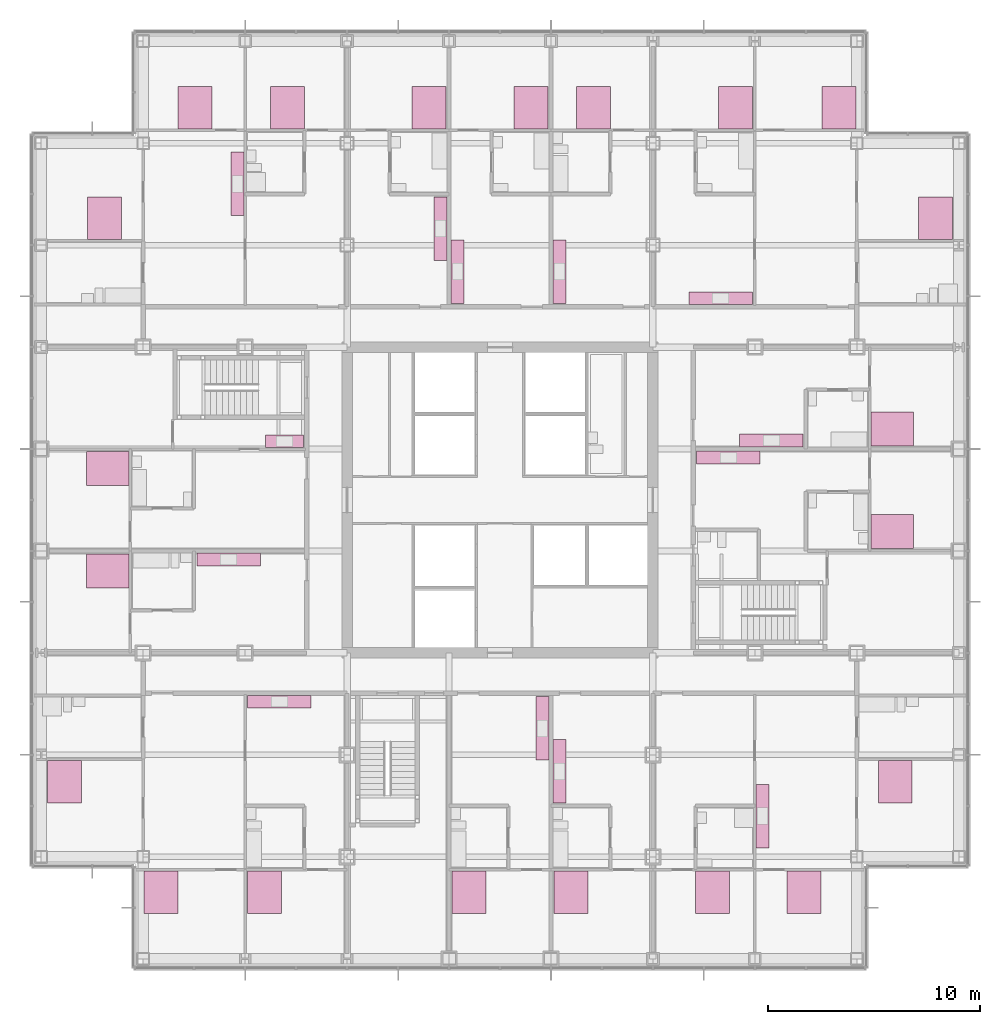
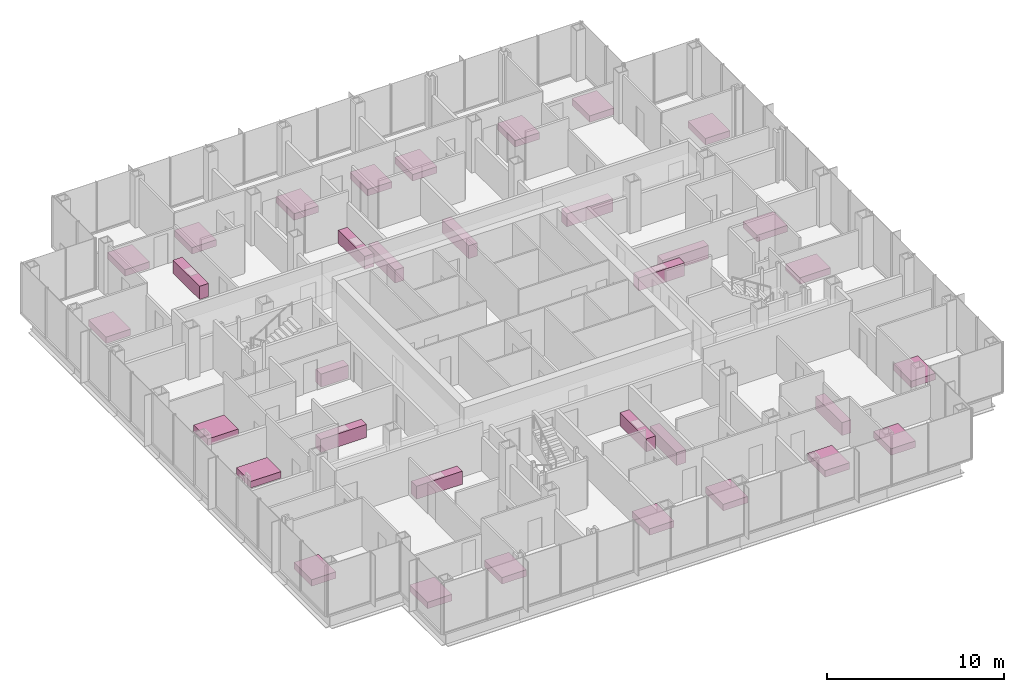
# One storey, part 21 of 21: 34 furniture elements.
"""IFC4 building model written with IfcOpenShell, lengths in metres."""

from ifc_helpers import new_model, si_unit, direction, frame, origin, origin_2d, place, context, subcontext, project, spatial, rectangle, extrude, material, type_object, element, save


model = new_model("IFC4")

# Units and contexts
model_context = context("Model", 3, precision=1e-05, world=origin(), true_north=direction((0.0, 1.0)))
body_context = subcontext(model_context, "Body", "Model", "MODEL_VIEW")
ifc_project = project(units=[si_unit("LENGTHUNIT", "METRE"), si_unit("AREAUNIT", "SQUARE_METRE"), si_unit("VOLUMEUNIT", "CUBIC_METRE"), si_unit("PLANEANGLEUNIT", "RADIAN"), si_unit("MASSUNIT", "GRAM", prefix="KILO")], contexts=[model_context])

# Site, building, storey
site_placement = place(None, origin())
site = spatial("IfcSite", under=ifc_project, at=site_placement, CompositionType="ELEMENT")
building_placement = place(site_placement, origin())
building = spatial("IfcBuilding", under=site, at=building_placement, Name="Kvirike Care Tower", CompositionType="ELEMENT")
storey_placement = place(building_placement, frame((0.0, 0.0, 55.0)))
storey = spatial("IfcBuildingStorey", under=building, at=storey_placement, Name="L14", CompositionType="ELEMENT", Elevation=55.0)

# Furniture
ifc_material_1 = material(Name="Timber", Category="wood")
furniture_type_1 = type_object("IfcFurnitureType", Name="DOUBLE BED 1600 x 2000", AssemblyPlace="FACTORY", PredefinedType="BED", material=ifc_material_1)
for number, where, z_axis, x_axis, name in (
    (1, (1.093994140625, 22.738037109375, 0.0), (0.0, 0.0, 1.0), (1.0, 0.0, 0.0), "Double bed L14-002"),
    (2, (5.64990234375, 17.5380859375, 0.0), (0.0, 0.0, 1.0), (1.0, 0.0, 0.0), "Double bed L14-003"),
    (3, (10.510009765625, 17.5380859375, 0.0), (0.0, 0.0, 1.0), (1.0, 0.0, 0.0), "Double bed L14-004"),
    (4, (3.137939453125, 37.489990234375, 0.0), (0.0, 0.0, 1.0), (0.0, -1.0, 0.0), "Double bed L14-012"),
    (5, (3.137939453125, 32.64990234375, 0.0), (0.0, 0.0, 1.0), (0.0, -1.0, 0.0), "Double bed L14-016"),
    (6, (11.60009765625, 54.4619140625, 0.0), (0.0, 0.0, 1.0), (-1.0, 0.0, 0.0), "Double bed L14-020"),
    (7, (7.239990234375, 54.4619140625, 0.0), (0.0, 0.0, 1.0), (-1.0, 0.0, 0.0), "Double bed L14-021"),
    (8, (2.989990234375, 49.261962890625, 0.0), (0.0, 0.0, 1.0), (-1.0, 0.0, 0.0), "Double bed L14-022"),
    (9, (20.14990234375, 17.5380859375, 0.0), (0.0, 0.0, 1.0), (1.0, 0.0, 0.0), "Double bed L14-030"),
    (10, (24.949951171875, 17.5380859375, 0.0), (0.0, 0.0, 1.0), (1.0, 0.0, 0.0), "Double bed L14-033"),
    (11, (26.0, 54.4619140625, 0.0), (0.0, 0.0, 1.0), (-1.0, 0.0, 0.0), "Double bed L14-037"),
    (12, (23.050048828125, 54.4619140625, 0.0), (0.0, 0.0, 1.0), (-1.0, 0.0, 0.0), "Double bed L14-040"),
    (13, (18.25, 54.4619140625, 0.0), (0.0, 0.0, 1.0), (-1.0, 0.0, 0.0), "Double bed L14-043"),
    (14, (31.60009765625, 17.5380859375, 0.0), (0.0, 0.0, 1.0), (1.0, 0.0, 0.0), "Double bed L14-047"),
    (15, (35.909912109375, 17.5380859375, 0.0), (0.0, 0.0, 1.0), (1.0, 0.0, 0.0), "Double bed L14-048"),
    (16, (40.2099609375, 22.738037109375, 0.0), (0.0, 0.0, 1.0), (1.0, 0.0, 0.0), "Double bed L14-049"),
    (17, (40.06201171875, 34.510009765625, 0.0), (0.0, 0.0, 1.0), (0.0, 1.0, 0.0), "Double bed L14-057"),
    (18, (40.06201171875, 39.35009765625, 0.0), (0.0, 0.0, 1.0), (0.0, 1.0, 0.0), "Double bed L14-061"),
    (19, (42.10595703125, 49.261962890625, 0.0), (0.0, 0.0, 1.0), (-1.0, 0.0, 0.0), "Double bed L14-065"),
    (20, (37.550048828125, 54.4619140625, 0.0), (0.0, 0.0, 1.0), (-1.0, 0.0, 0.0), "Double bed L14-066"),
    (21, (32.68994140625, 54.4619140625, 0.0), (0.0, 0.0, 1.0), (-1.0, 0.0, 0.0), "Double bed L14-067"),
):
    element("IfcFurniture", number, at=place(storey_placement, frame(where, z_axis=z_axis, x_axis=x_axis)), inside=storey, type_object=furniture_type_1, Name=name, PredefinedType="BED", context=body_context, shape_type="SweptSolid", body=[
        extrude(rectangle(XDim=1.60009765625, YDim=2.0, at=origin_2d()), origin(), (0.0, 0.0, 1.0), 0.449951171875),
    ])
ifc_material_2 = material(Name="Laminated board", Category="wood")
furniture_type_2 = type_object("IfcFurnitureType", Name="KITCHEN UNIT RUN 600", AssemblyPlace="FACTORY", PredefinedType="USERDEFINED", material=ifc_material_2)
furniture_1_placement = place(storey_placement, frame((11.2099609375, 26.498046875, 0.0), z_axis=(0.0, 0.0, 1.0), x_axis=(1.0, 0.0, 0.0)))
element("IfcFurniture", 22, at=furniture_1_placement, inside=storey, type_object=furniture_type_2, Name="Kitchen unit run L14-008", ObjectType="KITCHEN UNIT", PredefinedType="USERDEFINED", context=body_context, shape_type="SweptSolid", body=[
    extrude(rectangle(XDim=3.0, YDim=0.60009765625, at=origin_2d()), origin(), (0.0, 0.0, 1.0), 0.89990234375),
])
furniture_2_placement = place(storey_placement, frame((11.449951171875, 38.761962890625, 0.0), z_axis=(0.0, 0.0, 1.0), x_axis=(-1.0, 0.0, 0.0)))
element("IfcFurniture", 23, at=furniture_2_placement, inside=storey, type_object=furniture_type_2, Name="Kitchen unit run L14-014", ObjectType="KITCHEN UNIT", PredefinedType="USERDEFINED", context=body_context, shape_type="SweptSolid", body=[
    extrude(rectangle(XDim=1.800048828125, YDim=0.60009765625, at=origin_2d()), origin(), (0.0, 0.0, 1.0), 0.89990234375),
])
for number, where, z_axis, x_axis, name in (
    (24, (8.824951171875, 33.197998046875, 0.0), (0.0, 0.0, 1.0), (1.0, 0.0, 0.0), "Kitchen unit run L14-018"),
    (25, (9.238037109375, 50.889892578125, 0.0), (0.0, 0.0, 1.0), (0.0, -1.0, 0.0), "Kitchen unit run L14-026"),
    (26, (23.597900390625, 25.25, 0.0), (0.0, 0.0, 1.0), (0.0, -1.0, 0.0), "Kitchen unit run L14-032"),
    (27, (24.402099609375, 23.22509765625, 0.0), (0.0, 0.0, 1.0), (0.0, 1.0, 0.0), "Kitchen unit run L14-035"),
    (28, (24.402099609375, 46.75, 0.0), (0.0, 0.0, 1.0), (0.0, 1.0, 0.0), "Kitchen unit run L14-039"),
    (29, (19.60205078125, 46.75, 0.0), (0.0, 0.0, 1.0), (0.0, 1.0, 0.0), "Kitchen unit run L14-042"),
    (30, (18.798095703125, 48.77490234375, 0.0), (0.0, 0.0, 1.0), (0.0, -1.0, 0.0), "Kitchen unit run L14-045"),
    (31, (33.9619140625, 21.110107421875, 0.0), (0.0, 0.0, 1.0), (0.0, 1.0, 0.0), "Kitchen unit run L14-053"),
    (32, (32.35009765625, 37.998046875, 0.0), (0.0, 0.0, 1.0), (1.0, 0.0, 0.0), "Kitchen unit run L14-060"),
    (33, (34.375, 38.802001953125, 0.0), (0.0, 0.0, 1.0), (-1.0, 0.0, 0.0), "Kitchen unit run L14-063"),
    (34, (31.989990234375, 45.501953125, 0.0), (0.0, 0.0, 1.0), (-1.0, 0.0, 0.0), "Kitchen unit run L14-071"),
):
    element("IfcFurniture", number, at=place(storey_placement, frame(where, z_axis=z_axis, x_axis=x_axis)), inside=storey, type_object=furniture_type_2, Name=name, ObjectType="KITCHEN UNIT", PredefinedType="USERDEFINED", context=body_context, shape_type="SweptSolid", body=[
        extrude(rectangle(XDim=3.0, YDim=0.60009765625, at=origin_2d()), origin(), (0.0, 0.0, 1.0), 0.89990234375),
    ])

save(model, "model.ifc")
